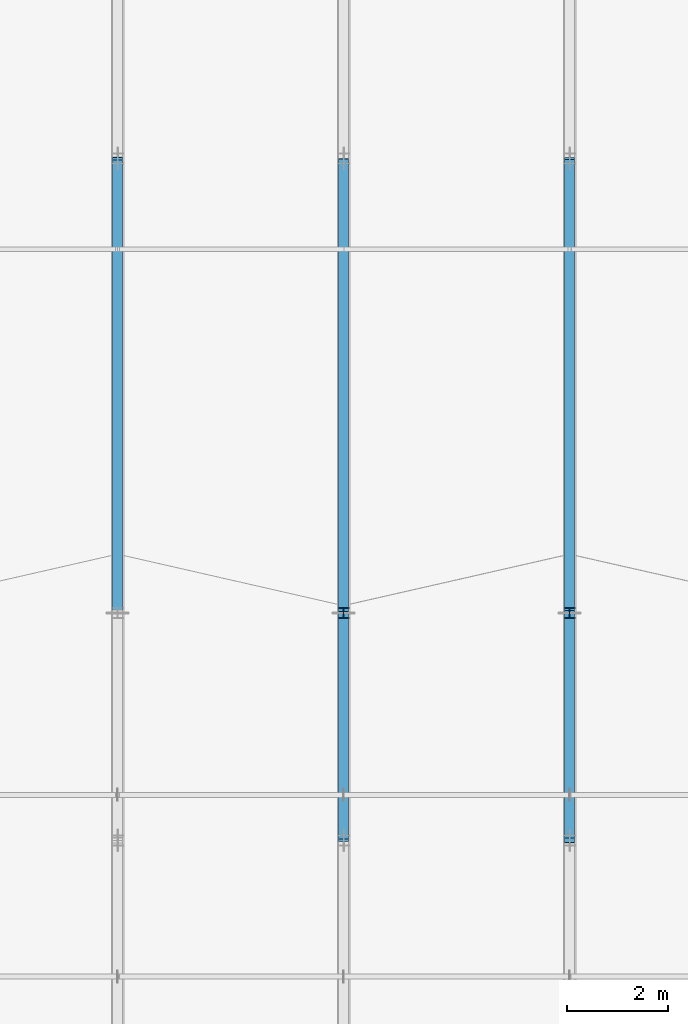
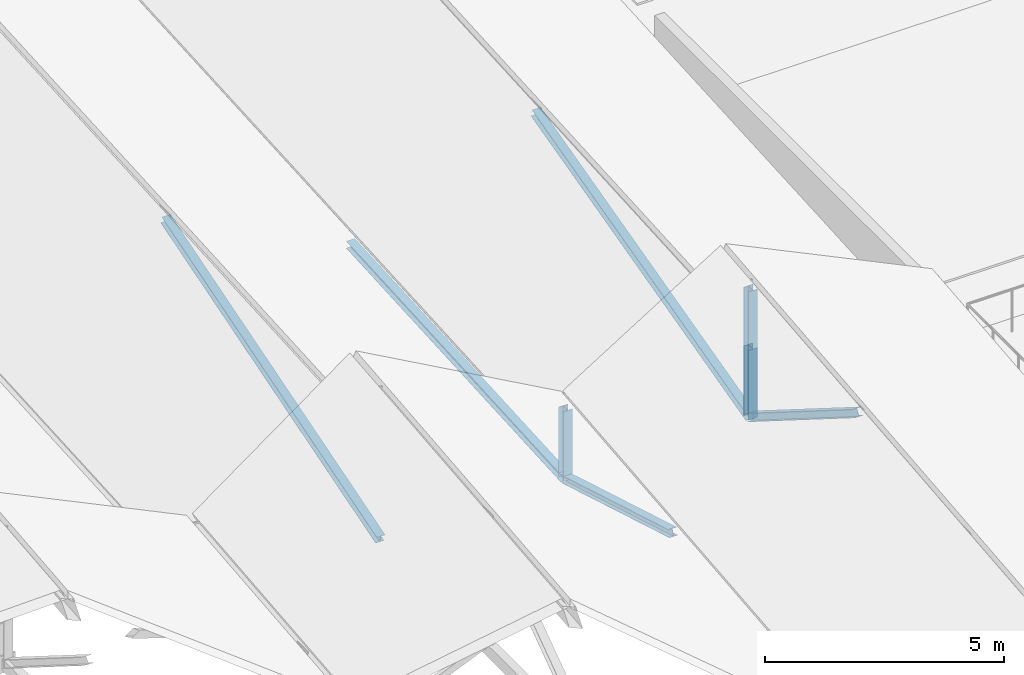
# One storey, part 49 of 142: 8 members.
"""IFC4 building model written with IfcOpenShell, lengths in metres."""

import ifcopenshell
import ifcopenshell.guid

model = None  # the IFC model being written
_history = None  # IfcOwnerHistory: only IFC2X3 demands one
_inside = {}  # id of a spatial element -> (the spatial element, [elements in it])
_under = {}  # id of a project, library or spatial element -> (it, [spatial elements below it])
_declared = {}  # id of a project -> (the project, [libraries it declares])
_typed = {}  # id of a type object -> (the type object, [elements of that type])
_made_of = {}  # id of a material, layer set ... -> (it, [elements and type objects made of it])


def new_model(schema):
    """Start an empty IFC model of exactly this schema.

    Asked for "IFC4X3", IfcOpenShell would pick the latest addendum, in which some entities
    have other attributes; the version numbers below select the first issue.
    IFC2X3 requires an IfcOwnerHistory on every rooted entity: one is made here for all.
    """
    global model, _history
    if schema == "IFC4X3":
        model = ifcopenshell.file(schema_version=(4, 3, 0, 0))
    else:
        model = ifcopenshell.file(schema=schema)
    _inside.clear()
    _under.clear()
    _declared.clear()
    _typed.clear()
    _made_of.clear()
    _history = None
    if model.schema == "IFC2X3":
        org = make("IfcOrganization", Name="unknown")
        user = make(
            "IfcPersonAndOrganization",
            ThePerson=make("IfcPerson", FamilyName="unknown"),
            TheOrganization=org,
        )
        app = make(
            "IfcApplication",
            ApplicationDeveloper=org,
            Version="unknown",
            ApplicationFullName="unknown",
            ApplicationIdentifier="unknown",
        )
        _history = make(
            "IfcOwnerHistory",
            OwningUser=user,
            OwningApplication=app,
            ChangeAction="ADDED",
            CreationDate=0,
        )
    return model


def make(cls, **values):
    """One entity of the class cls with the attributes given. An attribute that is None is left unset."""
    return model.create_entity(
        cls, **{name: value for name, value in values.items() if value is not None}
    )


def rooted(cls, **values):
    """An entity with a GlobalId (a new one), such as an element, a storey or a relation."""
    return make(cls, GlobalId=ifcopenshell.guid.new(), OwnerHistory=_history, **values)


def si_unit(unit_type, name, prefix=None):
    """IfcSIUnit, for example si_unit("LENGTHUNIT", "METRE", prefix="MILLI")."""
    return make("IfcSIUnit", UnitType=unit_type, Prefix=prefix, Name=name)


def assignment(units):
    """IfcUnitAssignment: the units of a project."""
    return None if units is None else make("IfcUnitAssignment", Units=units)


def point(xyz):
    """IfcCartesianPoint."""
    return None if xyz is None else make("IfcCartesianPoint", Coordinates=xyz)


def direction(xyz):
    """IfcDirection."""
    return None if xyz is None else make("IfcDirection", DirectionRatios=xyz)


def frame(location, z_axis=None, x_axis=None):
    """IfcAxis2Placement3D, a coordinate frame: its origin and axes. An axis left out is left unset."""
    return make(
        "IfcAxis2Placement3D",
        Location=point(location),
        Axis=direction(z_axis),
        RefDirection=direction(x_axis),
    )


def frame_2d(location, x_axis=None):
    """IfcAxis2Placement2D, a coordinate frame in the plane: its origin and x axis."""
    return make(
        "IfcAxis2Placement2D", Location=point(location), RefDirection=direction(x_axis)
    )


def origin():
    """The frame at (0, 0, 0) with its axes left unset."""
    return frame((0.0, 0.0, 0.0))


def origin_2d():
    """The frame at (0, 0) in the plane with its x axis left unset."""
    return frame_2d((0.0, 0.0))


def place(relative_to, where):
    """IfcLocalPlacement: puts the frame where relative to a parent placement (None: the world)."""
    return make(
        "IfcLocalPlacement", PlacementRelTo=relative_to, RelativePlacement=where
    )


def context(
    kind, dimensions, precision=None, world=None, true_north=None, identifier=None
):
    """IfcGeometricRepresentationContext, for example the 3D "Model" context."""
    return make(
        "IfcGeometricRepresentationContext",
        ContextIdentifier=identifier,
        ContextType=kind,
        CoordinateSpaceDimension=dimensions,
        Precision=precision,
        WorldCoordinateSystem=world,
        TrueNorth=true_north,
    )


def subcontext(parent, identifier, kind, view, scale=None):
    """IfcGeometricRepresentationSubContext, for example "Body" below "Model"."""
    return make(
        "IfcGeometricRepresentationSubContext",
        ContextIdentifier=identifier,
        ContextType=kind,
        ParentContext=parent,
        TargetScale=scale,
        TargetView=view,
    )


def project(units=None, contexts=None):
    """IfcProject with its units and contexts."""
    return rooted(
        "IfcProject",
        Name="project",
        RepresentationContexts=contexts,
        UnitsInContext=assignment(units),
    )


def spatial(cls, under=None, at=None, **own):
    """A site, building, storey or space (cls), placed at a placement, below another one or the project."""
    s = rooted(cls, ObjectPlacement=at, **own)
    if under is not None:
        _under.setdefault(under.id(), (under, []))[1].append(s)
    return s


def profile(cls, at=None, kind="AREA", **sizes):
    """A parametric profile (cls). Its sizes go by their IFC names, for example OverallWidth=200.0."""
    return make(cls, ProfileType=kind, Position=at, **sizes)


def i_section(**sizes):
    """IfcIShapeProfileDef."""
    return profile("IfcIShapeProfileDef", **sizes)


def extrude(swept, where, along, depth):
    """IfcExtrudedAreaSolid: the profile swept, set in the frame where, extruded along a direction by depth."""
    return make(
        "IfcExtrudedAreaSolid",
        SweptArea=swept,
        Position=where,
        ExtrudedDirection=direction(along),
        Depth=depth,
    )


def shape(context_of_items, identifier, shape_type, items):
    """IfcShapeRepresentation: the items that make up one representation, for example the "Body"."""
    return make(
        "IfcShapeRepresentation",
        ContextOfItems=context_of_items,
        RepresentationIdentifier=identifier,
        RepresentationType=shape_type,
        Items=items,
    )


def material(Name=None, Category=None):
    """IfcMaterial."""
    return make("IfcMaterial", Name=Name, Category=Category)


def material_profile(
    of_material, cross_section, Name=None, Category=None, Priority=None
):
    """IfcMaterialProfile: a cross section and its material."""
    return make(
        "IfcMaterialProfile",
        Name=Name,
        Material=of_material,
        Profile=cross_section,
        Priority=Priority,
        Category=Category,
    )


def profile_set(profiles, Name=None, composite=None):
    """IfcMaterialProfileSet."""
    return make(
        "IfcMaterialProfileSet",
        Name=Name,
        MaterialProfiles=profiles,
        CompositeProfile=composite,
    )


def made_of(thing, what):
    """Note that an element or type object is made of a material, layer set ...; save() writes the relation."""
    if what is not None:
        _made_of.setdefault(what.id(), (what, []))[1].append(thing)
    return thing


def type_object(cls, material=None, **own):
    """A type object (cls), such as IfcWallType, which elements share."""
    return made_of(rooted(cls, **own), material)


def element(
    cls,
    number,
    at=None,
    inside=None,
    cuts=None,
    type_object=None,
    material=None,
    context=None,
    identifier="Body",
    shape_type=None,
    held_by="IfcProductDefinitionShape",
    body=None,
    shapes=None,
    **own,
):
    """One element of the class cls, such as IfcWall. Its Tag is "e" and its number.

    at: its placement. inside: the storey or other place that contains it. cuts: it is an
    opening in that element (IfcRelVoidsElement). A single representation is given by context,
    identifier, shape_type and body (its items); several are given by shapes. held_by: the class
    of the entity that holds the representations. save() writes the other relations.
    """
    e = rooted(cls, Tag="e%d" % number, ObjectPlacement=at, **own)
    if body is not None:
        shapes = [shape(context, identifier, shape_type, body)]
    if shapes is not None:
        e.Representation = make(held_by, Representations=shapes)
    if inside is not None:
        _inside.setdefault(inside.id(), (inside, []))[1].append(e)
    if cuts is not None:
        rooted(
            "IfcRelVoidsElement", RelatingBuildingElement=cuts, RelatedOpeningElement=e
        )
    if type_object is not None:
        _typed.setdefault(type_object.id(), (type_object, []))[1].append(e)
    return made_of(e, material)


def aggregate(whole, parts):
    """IfcRelAggregates: a whole, such as a stair, and the parts it consists of."""
    return rooted("IfcRelAggregates", RelatingObject=whole, RelatedObjects=parts)


def save(model, path):
    """Write the relations noted so far, then the file.

    IfcRelAggregates (storeys below a building ...), IfcRelContainedInSpatialStructure (elements
    in a storey), IfcRelDefinesByType, IfcRelAssociatesMaterial and IfcRelDeclares: one each for
    every whole, place, type object, material and project.
    """
    for whole, parts in _under.values():
        aggregate(whole, parts)
    for where, things in _inside.values():
        rooted(
            "IfcRelContainedInSpatialStructure",
            RelatedElements=things,
            RelatingStructure=where,
        )
    for kind, things in _typed.values():
        rooted("IfcRelDefinesByType", RelatedObjects=things, RelatingType=kind)
    for what, things in _made_of.values():
        rooted("IfcRelAssociatesMaterial", RelatedObjects=things, RelatingMaterial=what)
    for by, libraries in _declared.values():
        rooted("IfcRelDeclares", RelatingContext=by, RelatedDefinitions=libraries)
    model.write(path)


model = new_model("IFC4")

# Units and contexts
model_context = context("Model", 3, precision=1e-05, world=origin(), true_north=direction((0.0, 1.0)))
body_context = subcontext(model_context, "Body", "Model", "MODEL_VIEW")
ifc_project = project(units=[si_unit("LENGTHUNIT", "METRE"), si_unit("AREAUNIT", "SQUARE_METRE"), si_unit("VOLUMEUNIT", "CUBIC_METRE"), si_unit("PLANEANGLEUNIT", "RADIAN"), si_unit("MASSUNIT", "GRAM", prefix="KILO")], contexts=[model_context])

# Site, building, storey
site_placement = place(None, origin())
site = spatial("IfcSite", under=ifc_project, at=site_placement, CompositionType="ELEMENT")
building_placement = place(site_placement, origin())
building = spatial("IfcBuilding", under=site, at=building_placement, Name="Montelvaro Courts of Justice", CompositionType="ELEMENT")
storey_placement = place(building_placement, frame((0.0, 0.0, 14.39990234375)))
storey = spatial("IfcBuildingStorey", under=building, at=storey_placement, Name="L03", CompositionType="ELEMENT", Elevation=14.39990234375)

# Members
ifc_material = material(Name="Steel S355", Category="steel")
ifc_material_profile_1 = material_profile(ifc_material, i_section(OverallWidth=0.199951171875, OverallDepth=0.18994140625, WebThickness=0.006591796875, FlangeThickness=0.010009765625, at=origin_2d()), Name="HEA 200")
ifc_profile_set_1 = profile_set([ifc_material_profile_1], Name="Steel S355")
member_type_1 = type_object("IfcMemberType", Name="Mem_HEA200_Brace", PredefinedType="BRACE", material=ifc_profile_set_1)
member_1_placement = place(storey_placement, frame((90.0, 42.0, -0.2998046875), z_axis=(0.0, 0.998271944472, 0.058763295342), x_axis=(-1.0, 0.0, 0.0)))
element("IfcMember", 1, at=member_1_placement, inside=storey, type_object=member_type_1, Name="Roof Truss Web MB-02 ROOF-PASSAGE-VTR05-W1", PredefinedType="BRACE", context=body_context, shape_type="SweptSolid", body=[
    extrude(i_section(OverallWidth=0.199951171875, OverallDepth=0.18994140625, WebThickness=0.006591796875, FlangeThickness=0.010009765625, at=origin_2d()), origin(), (0.0, 0.0, 1.0), 9.015625),
])
member_2_placement = place(storey_placement, frame((85.52490234375, 42.0, -0.2998046875), z_axis=(0.0, 0.956944461348, 0.290271076573), x_axis=(-1.0, 0.0, 0.0)))
element("IfcMember", 2, at=member_2_placement, inside=storey, type_object=member_type_1, Name="Roof Truss Web MB-02 ROOF-PASSAGE-RTR04-W1", PredefinedType="BRACE", context=body_context, shape_type="SweptSolid", body=[
    extrude(i_section(OverallWidth=0.199951171875, OverallDepth=0.18994140625, WebThickness=0.006591796875, FlangeThickness=0.010009765625, at=origin_2d()), origin(), (0.0, 0.0, 1.0), 9.405029296875),
])
member_3_placement = place(storey_placement, frame((94.47509765625, 42.0, -0.2998046875), z_axis=(0.0, 0.968088275109, 0.250609440358), x_axis=(-1.0, 0.0, 0.0)))
element("IfcMember", 3, at=member_3_placement, inside=storey, type_object=member_type_1, Name="Roof Truss Web MB-02 ROOF-PASSAGE-RTR05-W1", PredefinedType="BRACE", context=body_context, shape_type="SweptSolid", body=[
    extrude(i_section(OverallWidth=0.199951171875, OverallDepth=0.18994140625, WebThickness=0.006591796875, FlangeThickness=0.010009765625, at=origin_2d()), origin(), (0.0, 0.0, 1.0), 9.296630859375),
])
member_4_placement = place(storey_placement, frame((90.0, 37.5, 1.030029296875), z_axis=(0.0, 0.959000997748, -0.283402692857), x_axis=(-1.0, 0.0, 0.0)))
element("IfcMember", 4, at=member_4_placement, inside=storey, type_object=member_type_1, Name="Roof Truss Web MB-02 ROOF-PASSAGE-S-VTR03-W4", PredefinedType="BRACE", context=body_context, shape_type="SweptSolid", body=[
    extrude(i_section(OverallWidth=0.199951171875, OverallDepth=0.18994140625, WebThickness=0.006591796875, FlangeThickness=0.010009765625, at=origin_2d()), origin(), (0.0, 0.0, 1.0), 4.6923828125),
])
member_5_placement = place(storey_placement, frame((94.47509765625, 37.5, 2.530029296875), z_axis=(0.0, 0.846529520992, -0.532341779395), x_axis=(-1.0, 0.0, 0.0)))
element("IfcMember", 5, at=member_5_placement, inside=storey, type_object=member_type_1, Name="Roof Truss Web MB-02 ROOF-PASSAGE-S-RTR03-W4", PredefinedType="BRACE", context=body_context, shape_type="SweptSolid", body=[
    extrude(i_section(OverallWidth=0.199951171875, OverallDepth=0.18994140625, WebThickness=0.006591796875, FlangeThickness=0.010009765625, at=origin_2d()), origin(), (0.0, 0.0, 1.0), 5.31591796875),
])
ifc_material_profile_2 = material_profile(ifc_material, i_section(OverallWidth=0.219970703125, OverallDepth=0.2099609375, WebThickness=0.007080078125, FlangeThickness=0.010986328125, at=origin_2d()), Name="HEA 220")
ifc_profile_set_2 = profile_set([ifc_material_profile_2], Name="Steel S355")
member_type_2 = type_object("IfcMemberType", Name="Mem_HEA220_Post", PredefinedType="POST", material=ifc_profile_set_2)
for number, where, z_axis, x_axis, name in (
    (6, (94.47509765625, 42.0, -0.2998046875), (0.0, 0.0, 1.0), (1.0, 0.0, 0.0), "Roof Truss Post MP-03 ROOF-PASSAGE-RTR05-V0"),
    (7, (90.0, 42.0, -0.2998046875), (0.0, 0.0, 1.0), (1.0, 0.0, 0.0), "Roof Truss Post MP-03 ROOF-PASSAGE-S-VTR03-V4"),
):
    element("IfcMember", number, at=place(storey_placement, frame(where, z_axis=z_axis, x_axis=x_axis)), inside=storey, type_object=member_type_2, Name=name, PredefinedType="POST", context=body_context, shape_type="SweptSolid", body=[
        extrude(i_section(OverallWidth=0.219970703125, OverallDepth=0.2099609375, WebThickness=0.007080078125, FlangeThickness=0.010986328125, at=origin_2d()), origin(), (0.0, 0.0, 1.0), 1.77978515625),
    ])
member_6_placement = place(storey_placement, frame((94.47509765625, 42.0, -0.2998046875), z_axis=(0.0, 0.0, 1.0), x_axis=(1.0, 0.0, 0.0)))
element("IfcMember", 8, at=member_6_placement, inside=storey, type_object=member_type_2, Name="Roof Truss Post MP-03 ROOF-PASSAGE-S-RTR03-V4", PredefinedType="POST", context=body_context, shape_type="SweptSolid", body=[
    extrude(i_section(OverallWidth=0.219970703125, OverallDepth=0.2099609375, WebThickness=0.007080078125, FlangeThickness=0.010986328125, at=origin_2d()), origin(), (0.0, 0.0, 1.0), 3.27978515625),
])

save(model, "model.ifc")
